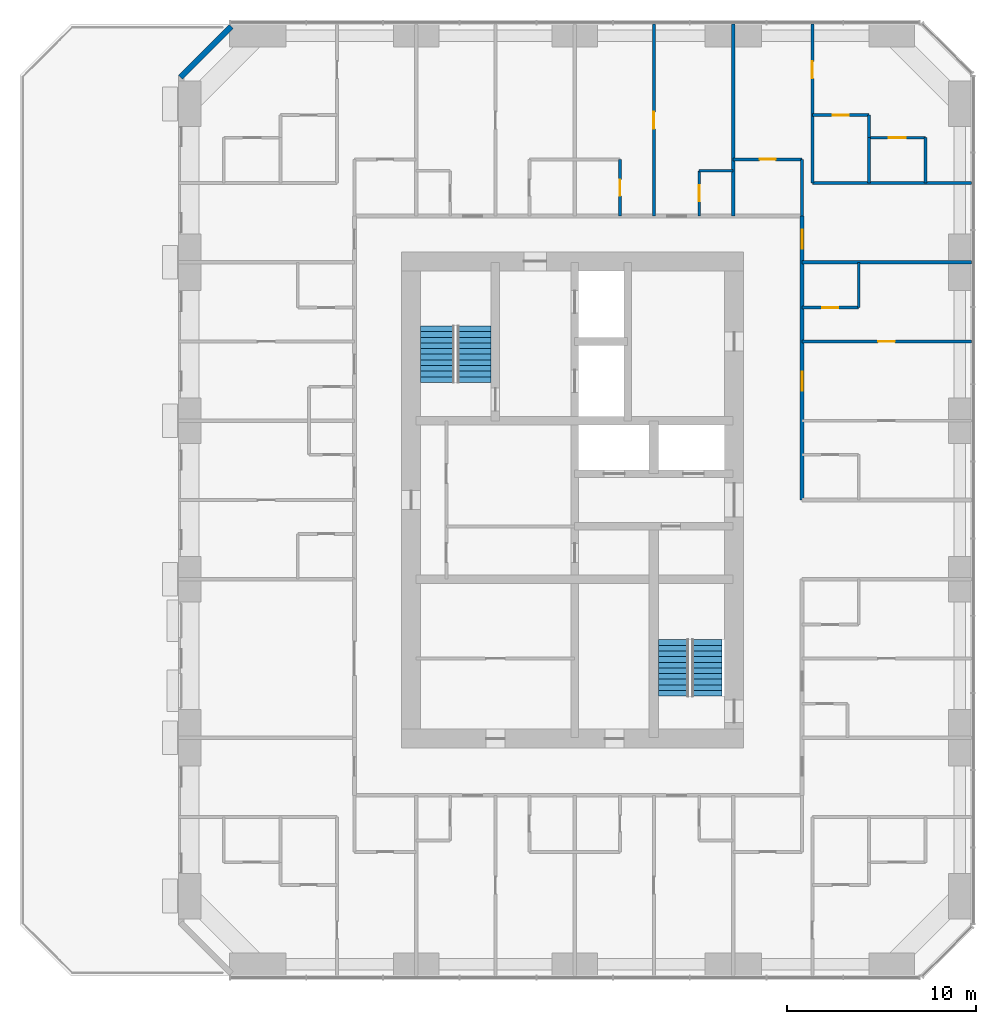
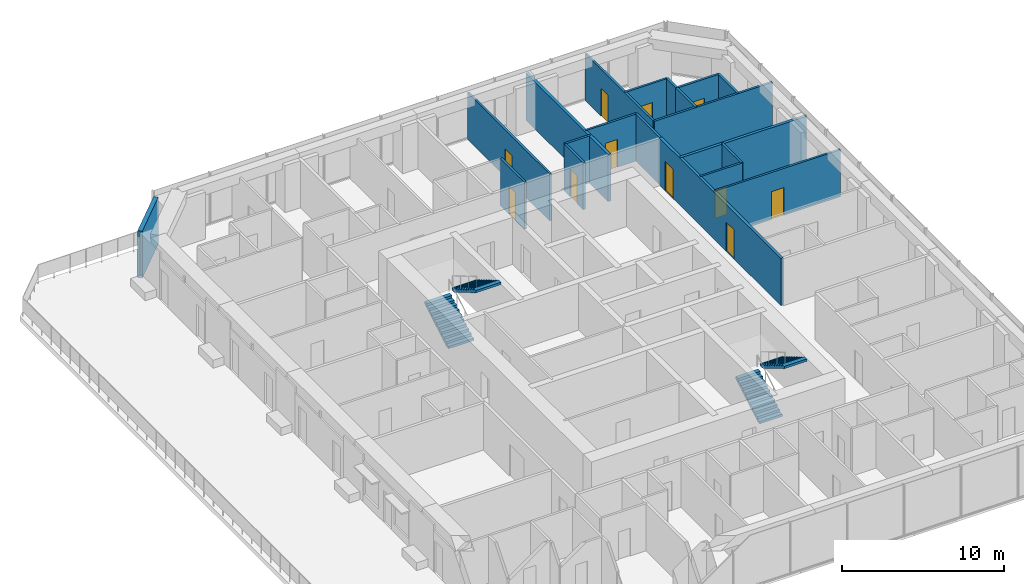
# One storey, part 11 of 13: 20 walls, 11 doors, 4 stair flights, 11 openings, 2 elements without a shape of their own.
"""IFC4 building model written with IfcOpenShell, lengths in metres."""

from ifc_helpers import new_model, si_unit, direction, frame, frame_2d, origin, place, context, subcontext, project, spatial, polyline, rectangle, outline, extrude, material, layer, layer_set, type_object, element, fill, aggregate, save


model = new_model("IFC4")

# Units and contexts
model_context = context("Model", 3, precision=1e-05, world=origin(), true_north=direction((0.0, 1.0)))
body_context = subcontext(model_context, "Body", "Model", "MODEL_VIEW")
ifc_project = project(units=[si_unit("LENGTHUNIT", "METRE"), si_unit("AREAUNIT", "SQUARE_METRE"), si_unit("VOLUMEUNIT", "CUBIC_METRE"), si_unit("PLANEANGLEUNIT", "RADIAN"), si_unit("MASSUNIT", "GRAM", prefix="KILO")], contexts=[model_context])

# Site, building, storey
site_placement = place(None, origin())
site = spatial("IfcSite", under=ifc_project, at=site_placement, CompositionType="ELEMENT")
building_placement = place(site_placement, origin())
building = spatial("IfcBuilding", under=site, at=building_placement, Name="Dunama Terrace Hotel", CompositionType="ELEMENT")
storey_placement = place(building_placement, frame((0.0, 0.0, 225.60009765625)))
storey = spatial("IfcBuildingStorey", under=building, at=storey_placement, Name="L58", CompositionType="ELEMENT", Elevation=225.60009765625)

# Wall, opening, door
ifc_material_1 = material(Name="Gypsum board partition", Category="masonry")
ifc_layer_1 = layer(ifc_material_1, 0.14990234375)
ifc_layer_set_1 = layer_set([ifc_layer_1], Name="Bathroom partition 150")
wall_type_1 = type_object("IfcWallType", Name="Bathroom partition 150", PredefinedType="PARTITIONING", material=ifc_layer_set_1)
wall_1_placement = place(storey_placement, frame((36.0, 44.449951171875, 0.0), z_axis=(0.0, 0.0, 1.0), x_axis=(0.0, 1.0, 0.0)))
wall_1 = element("IfcWall", 1, at=wall_1_placement, inside=storey, type_object=wall_type_1, Name="Bathroom partition 150 L58", PredefinedType="PARTITIONING", context=body_context, shape_type="SweptSolid", body=[
    extrude(rectangle(XDim=3.0, YDim=0.14990234375, at=frame_2d((1.5, 0.0))), origin(), (0.0, 0.0, 1.0), 3.5498046875),
])
opening_1_placement = place(wall_1_placement, frame((1.074951171875, 0.0, 0.0)))
opening_1 = element("IfcOpeningElement", 2, at=opening_1_placement, cuts=wall_1, Name="Opening L58-040", PredefinedType="OPENING", context=body_context, shape_type="SweptSolid", body=[
    extrude(rectangle(XDim=0.85009765625, YDim=2.10009765625, at=frame_2d((0.425048828125, 1.050048828125))), frame((0.0, 0.0849609375, 0.0), z_axis=(0.0, -1.0, 0.0), x_axis=(1.0, 0.0, 0.0)), (0.0, 0.0, 1.0), 0.169921875),
])
ifc_material_2 = material(Name="Timber door with steel frame", Category="steel")
door_type_1 = type_object("IfcDoorType", Name="Bathroom door 850", OperationType="SINGLE_SWING_LEFT", PredefinedType="DOOR", material=ifc_material_2)
door_1_placement = place(opening_1_placement, origin())
door_1 = element("IfcDoor", 3, at=door_1_placement, inside=storey, type_object=door_type_1, Name="Door to en-suite bathroom L58-040, type D2", OperationType="SINGLE_SWING_LEFT", OverallHeight=2.10009765625, OverallWidth=0.85009765625, PredefinedType="DOOR", context=body_context, shape_type="SweptSolid", body=[
    extrude(rectangle(XDim=0.85009765625, YDim=2.10009765625, at=frame_2d((0.425048828125, 1.050048828125))), frame((0.0, 0.02490234375, 0.0), z_axis=(0.0, -1.0, 0.0), x_axis=(1.0, 0.0, 0.0)), (0.0, 0.0, 1.0), 0.050048828125),
])
fill(opening_1, door_1)

wall_2_placement = place(storey_placement, frame((40.199951171875, 44.449951171875, 0.0), z_axis=(0.0, 0.0, 1.0), x_axis=(0.0, 1.0, 0.0)))
wall_2 = element("IfcWall", 4, at=wall_2_placement, inside=storey, type_object=wall_type_1, Name="Bathroom partition 150 L58", PredefinedType="PARTITIONING", context=body_context, shape_type="SweptSolid", body=[
    extrude(rectangle(XDim=2.400146484375, YDim=0.14990234375, at=frame_2d((1.2001953125, 0.0))), origin(), (0.0, 0.0, 1.0), 3.5498046875),
])
opening_2_placement = place(wall_2_placement, frame((0.77490234375, 0.0, 0.0)))
opening_2 = element("IfcOpeningElement", 5, at=opening_2_placement, cuts=wall_2, Name="Opening L58-038", PredefinedType="OPENING", context=body_context, shape_type="SweptSolid", body=[
    extrude(rectangle(XDim=0.85009765625, YDim=2.10009765625, at=frame_2d((0.425048828125, 1.050048828125))), frame((0.0, 0.0849609375, 0.0), z_axis=(0.0, -1.0, 0.0), x_axis=(1.0, 0.0, 0.0)), (0.0, 0.0, 1.0), 0.169921875),
])
door_2_placement = place(opening_2_placement, frame((0.85009765625, 0.0, 0.0), z_axis=(0.0, 0.0, 1.0), x_axis=(-1.0, 0.0, 0.0)))
door_2 = element("IfcDoor", 6, at=door_2_placement, inside=storey, type_object=door_type_1, Name="Door to powder room L58-038, type D2", OperationType="SINGLE_SWING_RIGHT", OverallHeight=2.10009765625, OverallWidth=0.85009765625, PredefinedType="DOOR", context=body_context, shape_type="SweptSolid", body=[
    extrude(rectangle(XDim=0.85009765625, YDim=2.10009765625, at=frame_2d((0.425048828125, 1.050048828125))), frame((0.0, 0.025146484375, 0.0), z_axis=(0.0, -1.0, 0.0), x_axis=(1.0, 0.0, 0.0)), (0.0, 0.0, 1.0), 0.050048828125),
])
fill(opening_2, door_2)

# Walls
wall_3_placement = place(storey_placement, frame((45.64990234375, 44.449951171875, 0.0), z_axis=(0.0, 0.0, 1.0), x_axis=(0.0, 1.0, 0.0)))
element("IfcWall", 7, at=wall_3_placement, inside=storey, type_object=wall_type_1, Name="Bathroom partition 150 L58", PredefinedType="PARTITIONING", context=body_context, shape_type="SweptSolid", body=[
    extrude(rectangle(XDim=3.0, YDim=0.14990234375, at=frame_2d((1.5, 0.0))), origin(), (0.0, 0.0, 1.0), 3.5498046875),
])
wall_4_placement = place(storey_placement, frame((48.64990234375, 39.60009765625, 0.0), z_axis=(0.0, 0.0, 1.0), x_axis=(0.0, 1.0, 0.0)))
element("IfcWall", 8, at=wall_4_placement, inside=storey, type_object=wall_type_1, Name="Bathroom partition 150 L58", PredefinedType="PARTITIONING", context=body_context, shape_type="SweptSolid", body=[
    extrude(rectangle(XDim=2.39990234375, YDim=0.14990234375, at=frame_2d((1.199951171875, 0.0))), origin(), (0.0, 0.0, 1.0), 3.5498046875),
])
wall_5_placement = place(storey_placement, frame((49.199951171875, 48.60009765625, 0.0), z_axis=(0.0, 0.0, 1.0), x_axis=(0.0, 1.0, 0.0)))
element("IfcWall", 9, at=wall_5_placement, inside=storey, type_object=wall_type_1, Name="Bathroom partition 150 L58", PredefinedType="PARTITIONING", context=body_context, shape_type="SweptSolid", body=[
    extrude(rectangle(XDim=1.199951171875, YDim=0.14990234375, at=frame_2d((0.60009765625, 0.0))), origin(), (0.0, 0.0, 1.0), 3.5498046875),
])

# Wall, opening, door
wall_6_placement = place(storey_placement, frame((45.64990234375, 39.60009765625, 0.0), z_axis=(0.0, 0.0, 1.0), x_axis=(1.0, 0.0, 0.0)))
wall_6 = element("IfcWall", 10, at=wall_6_placement, inside=storey, type_object=wall_type_1, Name="Bathroom partition 150 L58", PredefinedType="PARTITIONING", context=body_context, shape_type="SweptSolid", body=[
    extrude(rectangle(XDim=3.0, YDim=0.14990234375, at=frame_2d((1.5, 0.0))), origin(), (0.0, 0.0, 1.0), 3.5498046875),
])
opening_3_placement = place(wall_6_placement, frame((1.074951171875, 0.0, 0.0)))
opening_3 = element("IfcOpeningElement", 11, at=opening_3_placement, cuts=wall_6, Name="Opening L58-032", PredefinedType="OPENING", context=body_context, shape_type="SweptSolid", body=[
    extrude(rectangle(XDim=0.85009765625, YDim=2.10009765625, at=frame_2d((0.425048828125, 1.050048828125))), frame((0.0, 0.0849609375, 0.0), z_axis=(0.0, -1.0, 0.0), x_axis=(1.0, 0.0, 0.0)), (0.0, 0.0, 1.0), 0.169921875),
])
door_3_placement = place(opening_3_placement, origin())
door_3 = element("IfcDoor", 12, at=door_3_placement, inside=storey, type_object=door_type_1, Name="Door to en-suite bathroom L58-032, type D2", OperationType="SINGLE_SWING_LEFT", OverallHeight=2.10009765625, OverallWidth=0.85009765625, PredefinedType="DOOR", context=body_context, shape_type="SweptSolid", body=[
    extrude(rectangle(XDim=0.85009765625, YDim=2.10009765625, at=frame_2d((0.425048828125, 1.050048828125))), frame((0.0, 0.02490234375, 0.0), z_axis=(0.0, -1.0, 0.0), x_axis=(1.0, 0.0, 0.0)), (0.0, 0.0, 1.0), 0.050048828125),
])
fill(opening_3, door_3)

# Wall
wall_7_placement = place(storey_placement, frame((40.199951171875, 46.85009765625, 0.0), z_axis=(0.0, 0.0, 1.0), x_axis=(1.0, 0.0, 0.0)))
element("IfcWall", 13, at=wall_7_placement, inside=storey, type_object=wall_type_1, Name="Bathroom partition 150 L58", PredefinedType="PARTITIONING", context=body_context, shape_type="SweptSolid", body=[
    extrude(rectangle(XDim=1.800048828125, YDim=0.14990234375, at=frame_2d((0.89990234375, 0.0))), origin(), (0.0, 0.0, 1.0), 3.5498046875),
])

# Wall, opening, door
wall_8_placement = place(storey_placement, frame((42.0, 47.449951171875, 0.0), z_axis=(0.0, 0.0, 1.0), x_axis=(1.0, 0.0, 0.0)))
wall_8 = element("IfcWall", 14, at=wall_8_placement, inside=storey, type_object=wall_type_1, Name="Bathroom partition 150 L58", PredefinedType="PARTITIONING", context=body_context, shape_type="SweptSolid", body=[
    extrude(rectangle(XDim=3.64990234375, YDim=0.14990234375, at=frame_2d((1.824951171875, 0.0))), origin(), (0.0, 0.0, 1.0), 3.5498046875),
])
opening_4_placement = place(wall_8_placement, frame((1.39990234375, 0.0, 0.0)))
opening_4 = element("IfcOpeningElement", 15, at=opening_4_placement, cuts=wall_8, Name="Opening L58-061", PredefinedType="OPENING", context=body_context, shape_type="SweptSolid", body=[
    extrude(rectangle(XDim=0.85009765625, YDim=2.10009765625, at=frame_2d((0.425048828125, 1.050048828125))), frame((0.0, 0.0849609375, 0.0), z_axis=(0.0, -1.0, 0.0), x_axis=(1.0, 0.0, 0.0)), (0.0, 0.0, 1.0), 0.169921875),
])
door_4_placement = place(opening_4_placement, frame((0.85009765625, 0.0, 0.0), z_axis=(0.0, 0.0, 1.0), x_axis=(-1.0, 0.0, 0.0)))
door_4 = element("IfcDoor", 16, at=door_4_placement, inside=storey, type_object=door_type_1, Name="Door to powder room L58-061, type D2", OperationType="SINGLE_SWING_RIGHT", OverallHeight=2.10009765625, OverallWidth=0.85009765625, PredefinedType="DOOR", context=body_context, shape_type="SweptSolid", body=[
    extrude(rectangle(XDim=0.85009765625, YDim=2.10009765625, at=frame_2d((0.425048828125, 1.050048828125))), frame((0.0, 0.025146484375, 0.0), z_axis=(0.0, -1.0, 0.0), x_axis=(1.0, 0.0, 0.0)), (0.0, 0.0, 1.0), 0.050048828125),
])
fill(opening_4, door_4)

wall_9_placement = place(storey_placement, frame((46.199951171875, 49.800048828125, 0.0), z_axis=(0.0, 0.0, 1.0), x_axis=(1.0, 0.0, 0.0)))
wall_9 = element("IfcWall", 17, at=wall_9_placement, inside=storey, type_object=wall_type_1, Name="Bathroom partition 150 L58", PredefinedType="PARTITIONING", context=body_context, shape_type="SweptSolid", body=[
    extrude(rectangle(XDim=3.0, YDim=0.14990234375, at=frame_2d((1.5, 0.0))), origin(), (0.0, 0.0, 1.0), 3.5498046875),
])
opening_5_placement = place(wall_9_placement, frame((1.074951171875, 0.0, 0.0)))
opening_5 = element("IfcOpeningElement", 18, at=opening_5_placement, cuts=wall_9, Name="Opening L58-063", PredefinedType="OPENING", context=body_context, shape_type="SweptSolid", body=[
    extrude(rectangle(XDim=0.85009765625, YDim=2.10009765625, at=frame_2d((0.425048828125, 1.050048828125))), frame((0.0, 0.0849609375, 0.0), z_axis=(0.0, -1.0, 0.0), x_axis=(1.0, 0.0, 0.0)), (0.0, 0.0, 1.0), 0.169921875),
])
door_5_placement = place(opening_5_placement, frame((0.85009765625, 0.0, 0.0), z_axis=(0.0, 0.0, 1.0), x_axis=(-1.0, 0.0, 0.0)))
door_5 = element("IfcDoor", 19, at=door_5_placement, inside=storey, type_object=door_type_1, Name="Door to en-suite bathroom L58-063, type D2", OperationType="SINGLE_SWING_LEFT", OverallHeight=2.10009765625, OverallWidth=0.85009765625, PredefinedType="DOOR", context=body_context, shape_type="SweptSolid", body=[
    extrude(rectangle(XDim=0.85009765625, YDim=2.10009765625, at=frame_2d((0.425048828125, 1.050048828125))), frame((0.0, 0.025146484375, 0.0), z_axis=(0.0, -1.0, 0.0), x_axis=(1.0, 0.0, 0.0)), (0.0, 0.0, 1.0), 0.050048828125),
])
fill(opening_5, door_5)

# Wall, openings, doors
ifc_material_3 = material(Name="Concrete blockwork", Category="masonry")
ifc_layer_2 = layer(ifc_material_3, 0.199951171875)
ifc_layer_set_2 = layer_set([ifc_layer_2], Name="Corridor partition 200")
wall_type_2 = type_object("IfcWallType", Name="Corridor partition 200", PredefinedType="PARTITIONING", material=ifc_layer_set_2)
wall_10_placement = place(storey_placement, frame((45.64990234375, 44.449951171875, 0.0), z_axis=(0.0, 0.0, 1.0), x_axis=(0.0, -1.0, 0.0)))
wall_10 = element("IfcWall", 20, at=wall_10_placement, inside=storey, type_object=wall_type_2, Name="Corridor partition 200 L58", PredefinedType="PARTITIONING", context=body_context, shape_type="SweptSolid", body=[
    extrude(rectangle(XDim=15.050048828125, YDim=0.199951171875, at=frame_2d((7.52490234375, 0.0))), origin(), (0.0, 0.0, 1.0), 3.5498046875),
])
opening_6_placement = place(wall_10_placement, frame((8.25, 0.0, 0.0)))
opening_6 = element("IfcOpeningElement", 21, at=opening_6_placement, cuts=wall_10, Name="Opening L58-028", PredefinedType="OPENING", context=body_context, shape_type="SweptSolid", body=[
    extrude(rectangle(XDim=1.0, YDim=2.199951171875, at=frame_2d((0.5, 1.10009765625))), frame((0.0, 0.10986328125, 0.0), z_axis=(0.0, -1.0, 0.0), x_axis=(1.0, 0.0, 0.0)), (0.0, 0.0, 1.0), 0.219970703125),
])
opening_7_placement = place(wall_10_placement, frame((0.72509765625, 0.0, 0.0)))
opening_7 = element("IfcOpeningElement", 22, at=opening_7_placement, cuts=wall_10, Name="Opening L58-060", PredefinedType="OPENING", context=body_context, shape_type="SweptSolid", body=[
    extrude(rectangle(XDim=1.0, YDim=2.199951171875, at=frame_2d((0.5, 1.10009765625))), frame((0.0, 0.10986328125, 0.0), z_axis=(0.0, -1.0, 0.0), x_axis=(1.0, 0.0, 0.0)), (0.0, 0.0, 1.0), 0.219970703125),
])
ifc_material_4 = material(Name="Timber door with steel frame", Category="steel")
door_type_2 = type_object("IfcDoorType", Name="Guest room door 1000", OperationType="SINGLE_SWING_LEFT", PredefinedType="DOOR", material=ifc_material_4)
door_6_placement = place(opening_6_placement, origin())
door_6 = element("IfcDoor", 23, at=door_6_placement, inside=storey, type_object=door_type_2, Name="Door to two-bedroom suite living room L58-028, type D1", OperationType="SINGLE_SWING_LEFT", OverallHeight=2.199951171875, OverallWidth=1.0, PredefinedType="DOOR", context=body_context, shape_type="SweptSolid", body=[
    extrude(rectangle(XDim=1.0, YDim=2.199951171875, at=frame_2d((0.5, 1.10009765625))), frame((0.0, 0.02490234375, 0.0), z_axis=(0.0, -1.0, 0.0), x_axis=(1.0, 0.0, 0.0)), (0.0, 0.0, 1.0), 0.050048828125),
])
fill(opening_6, door_6)
door_7_placement = place(opening_7_placement, origin())
door_7 = element("IfcDoor", 24, at=door_7_placement, inside=storey, type_object=door_type_2, Name="Door to grand corner suite living room L58-060, type D1", OperationType="SINGLE_SWING_LEFT", OverallHeight=2.199951171875, OverallWidth=1.0, PredefinedType="DOOR", context=body_context, shape_type="SweptSolid", body=[
    extrude(rectangle(XDim=1.0, YDim=2.199951171875, at=frame_2d((0.5, 1.10009765625))), frame((0.0, 0.02490234375, 0.0), z_axis=(0.0, -1.0, 0.0), x_axis=(1.0, 0.0, 0.0)), (0.0, 0.0, 1.0), 0.050048828125),
])
fill(opening_7, door_7)

# Walls
ifc_material_5 = material(Name="Concrete blockwork", Category="masonry")
ifc_layer_3 = layer(ifc_material_5, 0.199951171875)
ifc_layer_set_3 = layer_set([ifc_layer_3], Name="Party wall 200")
wall_type_3 = type_object("IfcWallType", Name="Party wall 200", PredefinedType="PARTITIONING", material=ifc_layer_set_3)
wall_11_placement = place(storey_placement, frame((42.0, 44.449951171875, 0.0), z_axis=(0.0, 0.0, 1.0), x_axis=(0.0, 1.0, 0.0)))
element("IfcWall", 25, at=wall_11_placement, inside=storey, type_object=wall_type_3, Name="Party wall 200 L58", PredefinedType="PARTITIONING", context=body_context, shape_type="SweptSolid", body=[
    extrude(rectangle(XDim=10.16796875, YDim=0.199951171875, at=frame_2d((5.083984375, 0.0))), origin(), (0.0, 0.0, 1.0), 3.5498046875),
])
wall_12_placement = place(storey_placement, frame((45.64990234375, 42.0, 0.0), z_axis=(0.0, 0.0, 1.0), x_axis=(1.0, 0.0, 0.0)))
element("IfcWall", 26, at=wall_12_placement, inside=storey, type_object=wall_type_3, Name="Party wall 200 L58", PredefinedType="PARTITIONING", context=body_context, shape_type="SweptSolid", body=[
    extrude(rectangle(XDim=8.968017578125, YDim=0.199951171875, at=frame_2d((4.48388671875, 0.0))), origin(), (0.0, 0.0, 1.0), 3.5498046875),
])

# Wall, opening, door
ifc_material_6 = material(Name="Gypsum board partition", Category="masonry")
ifc_layer_4 = layer(ifc_material_6, 0.14990234375)
ifc_layer_set_4 = layer_set([ifc_layer_4], Name="Room partition 150")
wall_type_4 = type_object("IfcWallType", Name="Room partition 150", PredefinedType="PARTITIONING", material=ifc_layer_set_4)
wall_13_placement = place(storey_placement, frame((37.800048828125, 44.449951171875, 0.0), z_axis=(0.0, 0.0, 1.0), x_axis=(0.0, 1.0, 0.0)))
wall_13 = element("IfcWall", 27, at=wall_13_placement, inside=storey, type_object=wall_type_4, Name="Room partition 150 L58", PredefinedType="PARTITIONING", context=body_context, shape_type="SweptSolid", body=[
    extrude(rectangle(XDim=10.16796875, YDim=0.14990234375, at=frame_2d((5.083984375, 0.0))), origin(), (0.0, 0.0, 1.0), 3.5498046875),
])
opening_8_placement = place(wall_13_placement, frame((4.625, 0.0, 0.0)))
opening_8 = element("IfcOpeningElement", 28, at=opening_8_placement, cuts=wall_13, Name="Opening L58-039", PredefinedType="OPENING", context=body_context, shape_type="SweptSolid", body=[
    extrude(rectangle(XDim=0.89990234375, YDim=2.10009765625, at=frame_2d((0.449951171875, 1.050048828125))), frame((0.0, 0.0849609375, 0.0), z_axis=(0.0, -1.0, 0.0), x_axis=(1.0, 0.0, 0.0)), (0.0, 0.0, 1.0), 0.169921875),
])
ifc_material_7 = material(Name="Timber door with steel frame", Category="steel")
door_type_3 = type_object("IfcDoorType", Name="Suite internal door 900", OperationType="SINGLE_SWING_LEFT", PredefinedType="DOOR", material=ifc_material_7)
door_8_placement = place(opening_8_placement, origin())
door_8 = element("IfcDoor", 29, at=door_8_placement, inside=storey, type_object=door_type_3, Name="Door to one-bedroom suite bedroom L58-039, type D16", OperationType="SINGLE_SWING_LEFT", OverallHeight=2.10009765625, OverallWidth=0.89990234375, PredefinedType="DOOR", context=body_context, shape_type="SweptSolid", body=[
    extrude(rectangle(XDim=0.89990234375, YDim=2.10009765625, at=frame_2d((0.449951171875, 1.050048828125))), frame((0.0, 0.02490234375, 0.0), z_axis=(0.0, -1.0, 0.0), x_axis=(1.0, 0.0, 0.0)), (0.0, 0.0, 1.0), 0.050048828125),
])
fill(opening_8, door_8)

wall_14_placement = place(storey_placement, frame((46.199951171875, 46.199951171875, 0.0), z_axis=(0.0, 0.0, 1.0), x_axis=(0.0, 1.0, 0.0)))
wall_14 = element("IfcWall", 30, at=wall_14_placement, inside=storey, type_object=wall_type_4, Name="Room partition 150 L58", PredefinedType="PARTITIONING", context=body_context, shape_type="SweptSolid", body=[
    extrude(rectangle(XDim=8.41796875, YDim=0.14990234375, at=frame_2d((4.208984375, 0.0))), origin(), (0.0, 0.0, 1.0), 3.5498046875),
])
opening_9_placement = place(wall_14_placement, frame((5.550048828125, 0.0, 0.0)))
opening_9 = element("IfcOpeningElement", 31, at=opening_9_placement, cuts=wall_14, Name="Opening L58-062", PredefinedType="OPENING", context=body_context, shape_type="SweptSolid", body=[
    extrude(rectangle(XDim=0.89990234375, YDim=2.10009765625, at=frame_2d((0.449951171875, 1.050048828125))), frame((0.0, 0.0849609375, 0.0), z_axis=(0.0, -1.0, 0.0), x_axis=(1.0, 0.0, 0.0)), (0.0, 0.0, 1.0), 0.169921875),
])
door_9_placement = place(opening_9_placement, frame((0.89990234375, 0.0, 0.0), z_axis=(0.0, 0.0, 1.0), x_axis=(-1.0, 0.0, 0.0)))
door_9 = element("IfcDoor", 32, at=door_9_placement, inside=storey, type_object=door_type_3, Name="Door to grand corner suite bedroom L58-062, type D16", OperationType="SINGLE_SWING_RIGHT", OverallHeight=2.10009765625, OverallWidth=0.89990234375, PredefinedType="DOOR", context=body_context, shape_type="SweptSolid", body=[
    extrude(rectangle(XDim=0.89990234375, YDim=2.10009765625, at=frame_2d((0.449951171875, 1.050048828125))), frame((0.0, 0.025146484375, 0.0), z_axis=(0.0, -1.0, 0.0), x_axis=(1.0, 0.0, 0.0)), (0.0, 0.0, 1.0), 0.050048828125),
])
fill(opening_9, door_9)

# Walls
for number, where, z_axis, x_axis, name in (
    (33, (49.199951171875, 46.199951171875, 0.0), (0.0, 0.0, 1.0), (0.0, 1.0, 0.0), "Room partition 150 L58"),
    (34, (52.199951171875, 46.199951171875, 0.0), (0.0, 0.0, 1.0), (0.0, 1.0, 0.0), "Room partition 150 L58"),
):
    element("IfcWall", number, at=place(storey_placement, frame(where, z_axis=z_axis, x_axis=x_axis)), inside=storey, type_object=wall_type_4, Name=name, PredefinedType="PARTITIONING", context=body_context, shape_type="SweptSolid", body=[
        extrude(rectangle(XDim=2.400146484375, YDim=0.14990234375, at=frame_2d((1.2001953125, 0.0))), origin(), (0.0, 0.0, 1.0), 3.5498046875),
    ])

# Wall, opening, door
wall_15_placement = place(storey_placement, frame((45.64990234375, 37.800048828125, 0.0), z_axis=(0.0, 0.0, 1.0), x_axis=(1.0, 0.0, 0.0)))
wall_15 = element("IfcWall", 35, at=wall_15_placement, inside=storey, type_object=wall_type_4, Name="Room partition 150 L58", PredefinedType="PARTITIONING", context=body_context, shape_type="SweptSolid", body=[
    extrude(rectangle(XDim=8.968017578125, YDim=0.14990234375, at=frame_2d((4.48388671875, 0.0))), origin(), (0.0, 0.0, 1.0), 3.5498046875),
])
opening_10_placement = place(wall_15_placement, frame((4.02490234375, 0.0, 0.0)))
opening_10 = element("IfcOpeningElement", 36, at=opening_10_placement, cuts=wall_15, Name="Opening L58-031", PredefinedType="OPENING", context=body_context, shape_type="SweptSolid", body=[
    extrude(rectangle(XDim=0.89990234375, YDim=2.10009765625, at=frame_2d((0.449951171875, 1.050048828125))), frame((0.0, 0.0849609375, 0.0), z_axis=(0.0, -1.0, 0.0), x_axis=(1.0, 0.0, 0.0)), (0.0, 0.0, 1.0), 0.169921875),
])
door_10_placement = place(opening_10_placement, origin())
door_10 = element("IfcDoor", 37, at=door_10_placement, inside=storey, type_object=door_type_3, Name="Door to two-bedroom suite second bedroom L58-031, type D16", OperationType="SINGLE_SWING_LEFT", OverallHeight=2.10009765625, OverallWidth=0.89990234375, PredefinedType="DOOR", context=body_context, shape_type="SweptSolid", body=[
    extrude(rectangle(XDim=0.89990234375, YDim=2.10009765625, at=frame_2d((0.449951171875, 1.050048828125))), frame((0.0, 0.02490234375, 0.0), z_axis=(0.0, -1.0, 0.0), x_axis=(1.0, 0.0, 0.0)), (0.0, 0.0, 1.0), 0.050048828125),
])
fill(opening_10, door_10)

# Wall
wall_16_placement = place(storey_placement, frame((46.199951171875, 46.199951171875, 0.0), z_axis=(0.0, 0.0, 1.0), x_axis=(1.0, 0.0, 0.0)))
element("IfcWall", 38, at=wall_16_placement, inside=storey, type_object=wall_type_4, Name="Room partition 150 L58", PredefinedType="PARTITIONING", context=body_context, shape_type="SweptSolid", body=[
    extrude(rectangle(XDim=8.41796875, YDim=0.14990234375, at=frame_2d((4.208984375, 0.0))), origin(), (0.0, 0.0, 1.0), 3.5498046875),
])

# Wall, opening, door
wall_17_placement = place(storey_placement, frame((49.199951171875, 48.60009765625, 0.0), z_axis=(0.0, 0.0, 1.0), x_axis=(1.0, 0.0, 0.0)))
wall_17 = element("IfcWall", 39, at=wall_17_placement, inside=storey, type_object=wall_type_4, Name="Room partition 150 L58", PredefinedType="PARTITIONING", context=body_context, shape_type="SweptSolid", body=[
    extrude(rectangle(XDim=3.0, YDim=0.14990234375, at=frame_2d((1.5, 0.0))), origin(), (0.0, 0.0, 1.0), 3.5498046875),
])
opening_11_placement = place(wall_17_placement, frame((1.050048828125, 0.0, 0.0)))
opening_11 = element("IfcOpeningElement", 40, at=opening_11_placement, cuts=wall_17, Name="Opening L58-064", PredefinedType="OPENING", context=body_context, shape_type="SweptSolid", body=[
    extrude(rectangle(XDim=0.89990234375, YDim=2.10009765625, at=frame_2d((0.449951171875, 1.050048828125))), frame((0.0, 0.0849609375, 0.0), z_axis=(0.0, -1.0, 0.0), x_axis=(1.0, 0.0, 0.0)), (0.0, 0.0, 1.0), 0.169921875),
])
door_11_placement = place(opening_11_placement, frame((0.89990234375, 0.0, 0.0), z_axis=(0.0, 0.0, 1.0), x_axis=(-1.0, 0.0, 0.0)))
door_11 = element("IfcDoor", 41, at=door_11_placement, inside=storey, type_object=door_type_3, Name="Door to dressing room L58-064, type D16", OperationType="SINGLE_SWING_RIGHT", OverallHeight=2.10009765625, OverallWidth=0.89990234375, PredefinedType="DOOR", context=body_context, shape_type="SweptSolid", body=[
    extrude(rectangle(XDim=0.89990234375, YDim=2.10009765625, at=frame_2d((0.449951171875, 1.050048828125))), frame((0.0, 0.025146484375, 0.0), z_axis=(0.0, -1.0, 0.0), x_axis=(1.0, 0.0, 0.0)), (0.0, 0.0, 1.0), 0.050048828125),
])
fill(opening_11, door_11)

# Wall
ifc_material_8 = material(Name="Granite-faced concrete blockwork", Category="masonry")
ifc_layer_5 = layer(ifc_material_8, 0.300048828125)
ifc_layer_set_5 = layer_set([ifc_layer_5], Name="Terrace wall 300")
wall_type_5 = type_object("IfcWallType", Name="Terrace wall 300", PredefinedType="SOLIDWALL", material=ifc_layer_set_5)
wall_18_placement = place(storey_placement, frame((15.406005859375, 54.493896484375, 0.0), z_axis=(0.0, 0.0, 1.0), x_axis=(-0.707106781187, -0.707106781187, 0.0)))
element("IfcWall", 42, at=wall_18_placement, inside=storey, type_object=wall_type_5, Name="Terrace wall 300 L58", PredefinedType="SOLIDWALL", context=body_context, shape_type="SweptSolid", body=[
    extrude(rectangle(XDim=3.818359375, YDim=0.300048828125, at=frame_2d((1.9091796875, 0.0))), origin(), (0.0, 0.0, 1.0), 3.5498046875),
])

# Stair, stair flights
ifc_material_9 = material(Name="Concrete C40/50", Category="concrete")
stair_type_1 = type_object("IfcStairType", Name="Stair ST1-3900-1800", PredefinedType="HALF_TURN_STAIR", material=ifc_material_9)
stair_1_placement = place(storey_placement, origin())
stair_1 = element("IfcStair", 43, at=stair_1_placement, inside=storey, type_object=stair_type_1, Name="Stair ST1 L58", PredefinedType="HALF_TURN_STAIR")
ifc_material_10 = material(Name="Concrete C40/50", Category="concrete")
stair_flight_type_1 = type_object("IfcStairFlightType", Name="Stair flight ST1-3900-1800", PredefinedType="STRAIGHT", material=ifc_material_10)
stair_flight_1_placement = place(storey_placement, frame((26.324951171875, 35.625, 0.0), z_axis=(0.0, 0.0, 1.0), x_axis=(0.0, 1.0, 0.0)))
stair_flight_1 = element("IfcStairFlight", 44, at=stair_flight_1_placement, type_object=stair_flight_type_1, Name="ST1 flight 1", NumberOfRisers=11, NumberOfTreads=10, PredefinedType="STRAIGHT", RiserHeight=0.177272727, TreadLength=0.3, context=body_context, shape_type="SweptSolid", body=[
    extrude(outline(polyline([(0.0, 0.0), (0.0, 0.17724609375), (0.300048828125, 0.17724609375), (0.300048828125, 0.3544921875), (0.60009765625, 0.3544921875), (0.60009765625, 0.53173828125), (0.89990234375, 0.53173828125), (0.89990234375, 0.708984375), (1.199951171875, 0.708984375), (1.199951171875, 0.886474609375), (1.5, 0.886474609375), (1.5, 1.063720703125), (1.800048828125, 1.063720703125), (1.800048828125, 1.240966796875), (2.10009765625, 1.240966796875), (2.10009765625, 1.418212890625), (2.39990234375, 1.418212890625), (2.39990234375, 1.595458984375), (2.699951171875, 1.595458984375), (2.699951171875, 1.772705078125), (3.0, 1.772705078125), (3.0, 1.949951171875), (3.0, 1.5986328125), (0.294677734375, 0.0), (0.0, 0.0)])), frame((0.0, 0.89990234375, 0.0), z_axis=(0.0, -1.0, 0.0), x_axis=(1.0, 0.0, 0.0)), (0.0, 0.0, 1.0), 1.800048828125),
])
stair_flight_2_placement = place(storey_placement, frame((28.27490234375, 38.625, 1.949951171875), z_axis=(0.0, 0.0, 1.0), x_axis=(0.0, -1.0, 0.0)))
stair_flight_2 = element("IfcStairFlight", 45, at=stair_flight_2_placement, type_object=stair_flight_type_1, Name="ST1 flight 2", NumberOfRisers=11, NumberOfTreads=10, PredefinedType="STRAIGHT", RiserHeight=0.177272727, TreadLength=0.3, context=body_context, shape_type="SweptSolid", body=[
    extrude(outline(polyline([(0.0, 0.0), (0.0, 0.17724609375), (0.300048828125, 0.17724609375), (0.300048828125, 0.3544921875), (0.60009765625, 0.3544921875), (0.60009765625, 0.53173828125), (0.89990234375, 0.53173828125), (0.89990234375, 0.708984375), (1.199951171875, 0.708984375), (1.199951171875, 0.886474609375), (1.5, 0.886474609375), (1.5, 1.063720703125), (1.800048828125, 1.063720703125), (1.800048828125, 1.240966796875), (2.10009765625, 1.240966796875), (2.10009765625, 1.418212890625), (2.39990234375, 1.418212890625), (2.39990234375, 1.595458984375), (2.699951171875, 1.595458984375), (2.699951171875, 1.772705078125), (3.0, 1.772705078125), (3.0, 1.949951171875), (3.0, 1.5986328125), (0.294677734375, 0.0), (0.0, 0.0)])), frame((0.0, 0.89990234375, 0.0), z_axis=(0.0, -1.0, 0.0), x_axis=(1.0, 0.0, 0.0)), (0.0, 0.0, 1.0), 1.800048828125),
])
aggregate(stair_1, [stair_flight_1, stair_flight_2])

ifc_material_11 = material(Name="Concrete C40/50", Category="concrete")
stair_type_2 = type_object("IfcStairType", Name="Stair ST2-3900-1600", PredefinedType="HALF_TURN_STAIR", material=ifc_material_11)
stair_2_placement = place(storey_placement, origin())
stair_2 = element("IfcStair", 46, at=stair_2_placement, inside=storey, type_object=stair_type_2, Name="Stair ST2 L58", PredefinedType="HALF_TURN_STAIR")
ifc_material_12 = material(Name="Concrete C40/50", Category="concrete")
stair_flight_type_2 = type_object("IfcStairFlightType", Name="Stair flight ST2-3900-1600", PredefinedType="STRAIGHT", material=ifc_material_12)
stair_flight_3_placement = place(storey_placement, frame((38.85009765625, 19.0, 0.0), z_axis=(0.0, 0.0, 1.0), x_axis=(0.0, 1.0, 0.0)))
stair_flight_3 = element("IfcStairFlight", 47, at=stair_flight_3_placement, type_object=stair_flight_type_2, Name="ST2 flight 1", NumberOfRisers=11, NumberOfTreads=10, PredefinedType="STRAIGHT", RiserHeight=0.177272727, TreadLength=0.3, context=body_context, shape_type="SweptSolid", body=[
    extrude(outline(polyline([(0.0, 0.0), (0.0, 0.17724609375), (0.300048828125, 0.17724609375), (0.300048828125, 0.3544921875), (0.60009765625, 0.3544921875), (0.60009765625, 0.53173828125), (0.89990234375, 0.53173828125), (0.89990234375, 0.708984375), (1.199951171875, 0.708984375), (1.199951171875, 0.886474609375), (1.5, 0.886474609375), (1.5, 1.063720703125), (1.800048828125, 1.063720703125), (1.800048828125, 1.240966796875), (2.10009765625, 1.240966796875), (2.10009765625, 1.418212890625), (2.39990234375, 1.418212890625), (2.39990234375, 1.595458984375), (2.699951171875, 1.595458984375), (2.699951171875, 1.772705078125), (3.0, 1.772705078125), (3.0, 1.949951171875), (3.0, 1.5986328125), (0.294677734375, 0.0), (0.0, 0.0)])), frame((0.0, 0.800048828125, 0.0), z_axis=(0.0, -1.0, 0.0), x_axis=(1.0, 0.0, 0.0)), (0.0, 0.0, 1.0), 1.60009765625),
])
stair_flight_4_placement = place(storey_placement, frame((40.60009765625, 22.0, 1.949951171875), z_axis=(0.0, 0.0, 1.0), x_axis=(0.0, -1.0, 0.0)))
stair_flight_4 = element("IfcStairFlight", 48, at=stair_flight_4_placement, type_object=stair_flight_type_2, Name="ST2 flight 2", NumberOfRisers=11, NumberOfTreads=10, PredefinedType="STRAIGHT", RiserHeight=0.177272727, TreadLength=0.3, context=body_context, shape_type="SweptSolid", body=[
    extrude(outline(polyline([(0.0, 0.0), (0.0, 0.17724609375), (0.300048828125, 0.17724609375), (0.300048828125, 0.3544921875), (0.60009765625, 0.3544921875), (0.60009765625, 0.53173828125), (0.89990234375, 0.53173828125), (0.89990234375, 0.708984375), (1.199951171875, 0.708984375), (1.199951171875, 0.886474609375), (1.5, 0.886474609375), (1.5, 1.063720703125), (1.800048828125, 1.063720703125), (1.800048828125, 1.240966796875), (2.10009765625, 1.240966796875), (2.10009765625, 1.418212890625), (2.39990234375, 1.418212890625), (2.39990234375, 1.595458984375), (2.699951171875, 1.595458984375), (2.699951171875, 1.772705078125), (3.0, 1.772705078125), (3.0, 1.949951171875), (3.0, 1.5986328125), (0.294677734375, 0.0), (0.0, 0.0)])), frame((0.0, 0.800048828125, 0.0), z_axis=(0.0, -1.0, 0.0), x_axis=(1.0, 0.0, 0.0)), (0.0, 0.0, 1.0), 1.60009765625),
])
aggregate(stair_2, [stair_flight_3, stair_flight_4])

save(model, "model.ifc")
